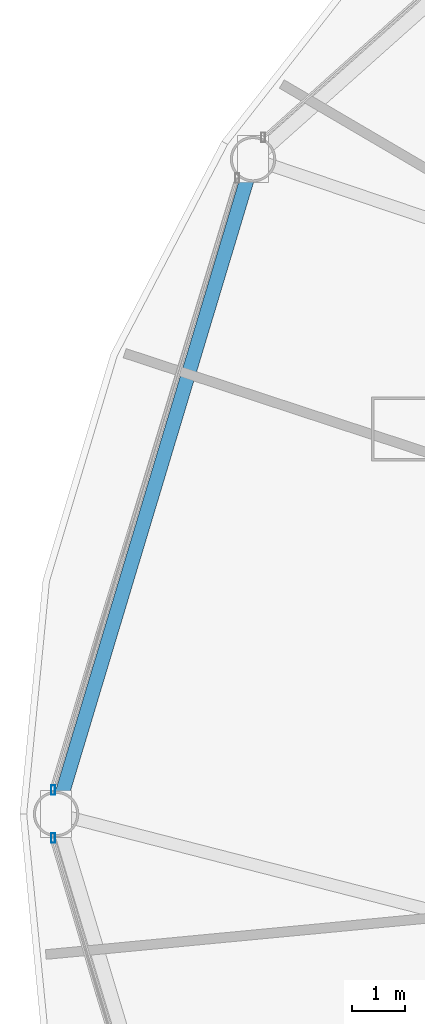
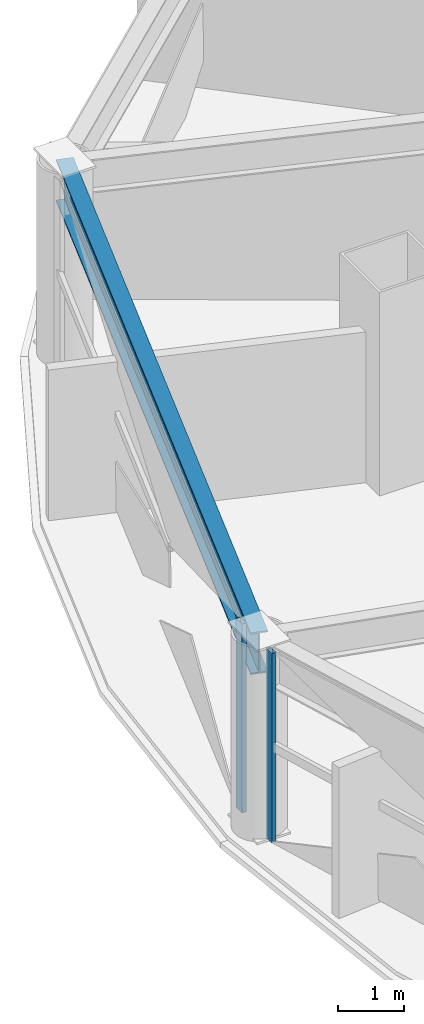
# One storey, part 6 of 30: 2 members, 1 beam, 2 elements without a shape of their own.
"""IFC4 building model written with IfcOpenShell, lengths in metres."""

from ifc_helpers import new_model, si_unit, direction, frame, origin, origin_2d, place, context, subcontext, project, spatial, hollow_rectangle, i_section, extrude, material, layer, layer_set, material_profile, profile_set, type_object, element, aggregate, save


model = new_model("IFC4")

# Units and contexts
model_context = context("Model", 3, precision=1e-05, world=origin(), true_north=direction((0.0, 1.0)))
body_context = subcontext(model_context, "Body", "Model", "MODEL_VIEW")
ifc_project = project(units=[si_unit("LENGTHUNIT", "METRE"), si_unit("AREAUNIT", "SQUARE_METRE"), si_unit("VOLUMEUNIT", "CUBIC_METRE"), si_unit("PLANEANGLEUNIT", "RADIAN"), si_unit("MASSUNIT", "GRAM", prefix="KILO")], contexts=[model_context])

# Site, building, storey
site_placement = place(None, origin())
site = spatial("IfcSite", under=ifc_project, at=site_placement, CompositionType="ELEMENT")
building_placement = place(site_placement, origin())
building = spatial("IfcBuilding", under=site, at=building_placement, Name="Vantalir Tower", CompositionType="ELEMENT")
storey_placement = place(building_placement, frame((0.0, 0.0, 83.25)))
storey = spatial("IfcBuildingStorey", under=building, at=storey_placement, Name="L20", CompositionType="ELEMENT", Elevation=83.25)

# Beam
ifc_material_1 = material(Name="Steel S460", Category="steel")
ifc_material_profile_1 = material_profile(ifc_material_1, i_section(OverallWidth=0.26806640625, OverallDepth=0.77001953125, WebThickness=0.015625, FlangeThickness=0.025390625, at=origin_2d()), Name="Steel S460")
ifc_profile_set_1 = profile_set([ifc_material_profile_1], Name="Steel S460")
beam_type = type_object("IfcBeamType", Name="BM-RG-762x267", PredefinedType="USERDEFINED", material=ifc_profile_set_1)
beam_placement = place(storey_placement, frame((7.68408203125, 37.2470703125, 3.18505859375), z_axis=(-0.288062352819, -0.957611654528, 0.0), x_axis=(0.957611654528, -0.288062352819, 0.0)))
element("IfcBeam", 1, at=beam_placement, inside=storey, type_object=beam_type, Name="L20 Circumferential Ring Girder 06", ObjectType="GIRDER", PredefinedType="USERDEFINED", context=body_context, shape_type="SweptSolid", body=[
    extrude(i_section(OverallWidth=0.26806640625, OverallDepth=0.77001953125, WebThickness=0.015625, FlangeThickness=0.025390625, at=origin_2d()), origin(), (0.0, 0.0, 1.0), 12.7890625),
])

# Curtain wall, member
ifc_material_2 = material(Name="Champagne-silver PVDF aluminium and double-silver Low-E glass", Category="aluminium")
ifc_layer = layer(ifc_material_2, 0.18994140625)
ifc_layer_set = layer_set([ifc_layer], Name="Champagne-silver PVDF aluminium and double-silver Low-E glass")
curtain_wall_type = type_object("IfcCurtainWallType", Name="CW-DIAMOND-Z1", PredefinedType="USERDEFINED", material=ifc_layer_set)
curtain_wall_1_placement = place(storey_placement, origin())
curtain_wall_1 = element("IfcCurtainWall", 2, at=curtain_wall_1_placement, inside=storey, type_object=curtain_wall_type, Name="L20 Quilted Pyramid-Diamond Curtain Wall S06", ObjectType="UNITISED CURTAIN WALL", PredefinedType="USERDEFINED")
ifc_material_3 = material(Name="Champagne-silver PVDF aluminium 6063-T6", Category="aluminium")
ifc_material_profile_2 = material_profile(ifc_material_3, hollow_rectangle(XDim=0.074951171875, YDim=0.179931640625, WallThickness=0.00390625, at=origin_2d()), Name="Champagne-silver PVDF aluminium 6063-T6")
ifc_profile_set_2 = profile_set([ifc_material_profile_2], Name="Champagne-silver PVDF aluminium 6063-T6")
member_type = type_object("IfcMemberType", Name="CWM-180x75", PredefinedType="MULLION", material=ifc_profile_set_2)
member_1_placement = place(storey_placement, frame((3.945068359375, 25.449951171875, 0.044921875), z_axis=(0.0, 0.0, 1.0), x_axis=(1.0, 0.0, 0.0)))
member_1 = element("IfcMember", 3, at=member_1_placement, type_object=member_type, Name="CW-L20-S06 Mullion 2", PredefinedType="MULLION", context=body_context, shape_type="SweptSolid", body=[
    extrude(hollow_rectangle(XDim=0.074951171875, YDim=0.179931640625, WallThickness=0.00390625, at=origin_2d()), origin(), (0.0, 0.0, 1.0), 3.47998046875),
])
aggregate(curtain_wall_1, [member_1])

curtain_wall_2_placement = place(storey_placement, origin())
curtain_wall_2 = element("IfcCurtainWall", 4, at=curtain_wall_2_placement, inside=storey, type_object=curtain_wall_type, Name="L20 Quilted Pyramid-Diamond Curtain Wall S07", ObjectType="UNITISED CURTAIN WALL", PredefinedType="USERDEFINED")
member_2_placement = place(storey_placement, frame((3.945068359375, 24.550048828125, 0.044921875), z_axis=(0.0, 0.0, 1.0), x_axis=(1.0, 0.0, 0.0)))
member_2 = element("IfcMember", 5, at=member_2_placement, type_object=member_type, Name="CW-L20-S07 Mullion 1", PredefinedType="MULLION", context=body_context, shape_type="SweptSolid", body=[
    extrude(hollow_rectangle(XDim=0.074951171875, YDim=0.179931640625, WallThickness=0.00390625, at=origin_2d()), origin(), (0.0, 0.0, 1.0), 3.47998046875),
])
aggregate(curtain_wall_2, [member_2])

save(model, "model.ifc")
